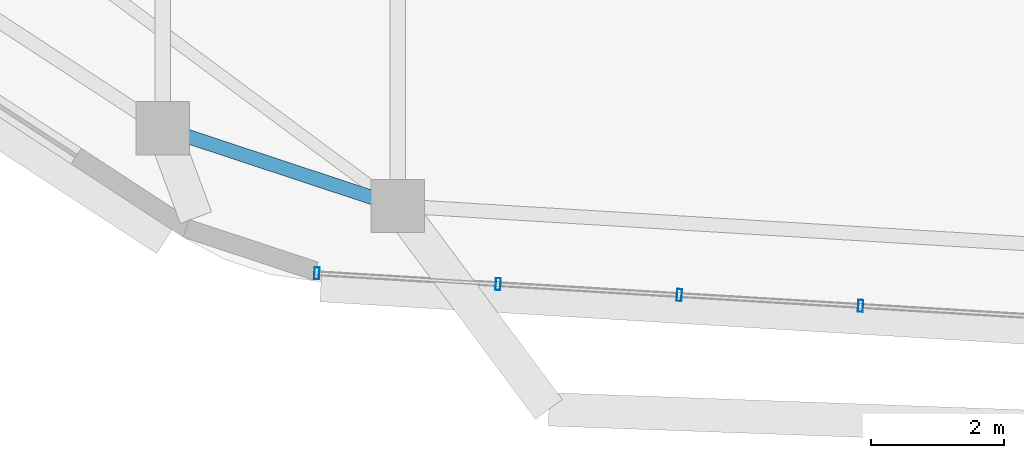
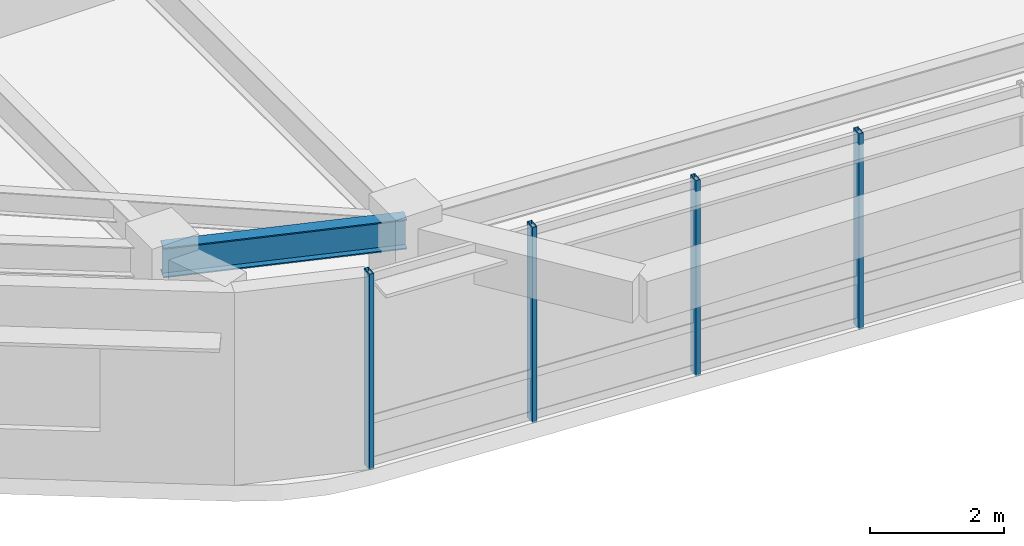
# One storey, part 2 of 12: 4 members, 1 beam, 1 element without a shape of its own.
"""IFC4 building model written with IfcOpenShell, lengths in metres."""

from ifc_helpers import new_model, si_unit, direction, frame, origin, origin_2d, place, context, subcontext, project, spatial, hollow_rectangle, i_section, extrude, material, material_profile, profile_set, type_object, element, aggregate, save


model = new_model("IFC4")

# Units and contexts
model_context = context("Model", 3, precision=1e-05, world=origin(), true_north=direction((0.0, 1.0)))
body_context = subcontext(model_context, "Body", "Model", "MODEL_VIEW")
ifc_project = project(units=[si_unit("LENGTHUNIT", "METRE"), si_unit("AREAUNIT", "SQUARE_METRE"), si_unit("VOLUMEUNIT", "CUBIC_METRE"), si_unit("PLANEANGLEUNIT", "RADIAN"), si_unit("MASSUNIT", "GRAM", prefix="KILO")], contexts=[model_context])

# Site, building, storey
site_placement = place(None, origin())
site = spatial("IfcSite", under=ifc_project, at=site_placement, CompositionType="ELEMENT")
building_placement = place(site_placement, origin())
building = spatial("IfcBuilding", under=site, at=building_placement, Name="Zulverin Broadcast Headquarters", CompositionType="ELEMENT")
storey_placement = place(building_placement, frame((0.0, 0.0, 255.39990234375)))
storey = spatial("IfcBuildingStorey", under=building, at=storey_placement, Name="L65", CompositionType="ELEMENT", Elevation=255.39990234375)

# Beam
ifc_material_1 = material(Name="Structural steel S355JR", Category="steel")
ifc_material_profile_1 = material_profile(ifc_material_1, i_section(OverallWidth=0.2119140625, OverallDepth=0.54443359375, WebThickness=0.0126953125, FlangeThickness=0.021240234375, at=origin_2d()), Name="Structural steel S355JR", Category="steel")
ifc_profile_set_1 = profile_set([ifc_material_profile_1], Name="Structural steel S355JR")
beam_type = type_object("IfcBeamType", Name="BM-UB-533", PredefinedType="SPANDREL", material=ifc_profile_set_1)
beam_placement = place(storey_placement, frame((26.098876953125, 4.9287109375, 3.23779296875), z_axis=(0.949437184981, -0.313957054031, 0.0), x_axis=(0.313957054031, 0.949437184981, 0.0)))
element("IfcBeam", 1, at=beam_placement, inside=storey, type_object=beam_type, Name="L65 Perimeter Spandrel Beam SP-16", PredefinedType="SPANDREL", context=body_context, shape_type="SweptSolid", body=[
    extrude(i_section(OverallWidth=0.2119140625, OverallDepth=0.54443359375, WebThickness=0.0126953125, FlangeThickness=0.021240234375, at=origin_2d()), origin(), (0.0, 0.0, 1.0), 3.7109375),
])

# Curtain wall, members
ifc_material_2 = material(Name="High-zone solar-control unitised curtain wall", Category="aluminium")
curtain_wall_type = type_object("IfcCurtainWallType", Name="CW-TWR-UPP", PredefinedType="USERDEFINED", material=ifc_material_2)
curtain_wall_placement = place(storey_placement, origin())
curtain_wall = element("IfcCurtainWall", 2, at=curtain_wall_placement, inside=storey, type_object=curtain_wall_type, Name="L65 Unitised Curtain Wall CW-L65-E1", ObjectType="UNITISED CURTAIN WALL", PredefinedType="USERDEFINED")
ifc_material_3 = material(Name="Anodized pale-metal aluminium alloy 6063-T6", Category="aluminium")
ifc_material_profile_2 = material_profile(ifc_material_3, hollow_rectangle(XDim=0.074951171875, YDim=0.179931640625, WallThickness=0.0048828125, at=origin_2d()), Name="Anodized pale-metal aluminium alloy 6063-T6", Category="aluminium")
ifc_profile_set_2 = profile_set([ifc_material_profile_2], Name="Anodized pale-metal aluminium alloy 6063-T6")
member_type = type_object("IfcMemberType", Name="CW-MUL-180", PredefinedType="MULLION", material=ifc_profile_set_2)
member_1_placement = place(storey_placement, frame((28.409423828125, 2.754638671875, -0.02978515625), z_axis=(0.0, 0.0, 1.0), x_axis=(0.998202681386, -0.059928347834, 0.0)))
member_1 = element("IfcMember", 3, at=member_1_placement, type_object=member_type, Name="CW-L65-E1 Mullion 00", PredefinedType="MULLION", context=body_context, shape_type="SweptSolid", body=[
    extrude(hollow_rectangle(XDim=0.074951171875, YDim=0.179931640625, WallThickness=0.0048828125, at=origin_2d()), origin(), (0.0, 0.0, 1.0), 3.56982421875),
])
member_2_placement = place(storey_placement, frame((31.127197265625, 2.59130859375, -0.02978515625), z_axis=(0.0, 0.0, 1.0), x_axis=(0.998202681386, -0.059928347834, 0.0)))
member_2 = element("IfcMember", 4, at=member_2_placement, type_object=member_type, Name="CW-L65-E1 Mullion 01", PredefinedType="MULLION", context=body_context, shape_type="SweptSolid", body=[
    extrude(hollow_rectangle(XDim=0.074951171875, YDim=0.179931640625, WallThickness=0.0048828125, at=origin_2d()), origin(), (0.0, 0.0, 1.0), 3.56982421875),
])
member_3_placement = place(storey_placement, frame((33.84521484375, 2.42822265625, -0.02978515625), z_axis=(0.0, 0.0, 1.0), x_axis=(0.998202681386, -0.059928347834, 0.0)))
member_3 = element("IfcMember", 5, at=member_3_placement, type_object=member_type, Name="CW-L65-E1 Mullion 02", PredefinedType="MULLION", context=body_context, shape_type="SweptSolid", body=[
    extrude(hollow_rectangle(XDim=0.074951171875, YDim=0.179931640625, WallThickness=0.0048828125, at=origin_2d()), origin(), (0.0, 0.0, 1.0), 3.56982421875),
])
member_4_placement = place(storey_placement, frame((36.56298828125, 2.26513671875, -0.02978515625), z_axis=(0.0, 0.0, 1.0), x_axis=(0.998202681386, -0.059928347834, 0.0)))
member_4 = element("IfcMember", 6, at=member_4_placement, type_object=member_type, Name="CW-L65-E1 Mullion 03", PredefinedType="MULLION", context=body_context, shape_type="SweptSolid", body=[
    extrude(hollow_rectangle(XDim=0.074951171875, YDim=0.179931640625, WallThickness=0.0048828125, at=origin_2d()), origin(), (0.0, 0.0, 1.0), 3.56982421875),
])
aggregate(curtain_wall, [member_1, member_2, member_3, member_4])

save(model, "model.ifc")
